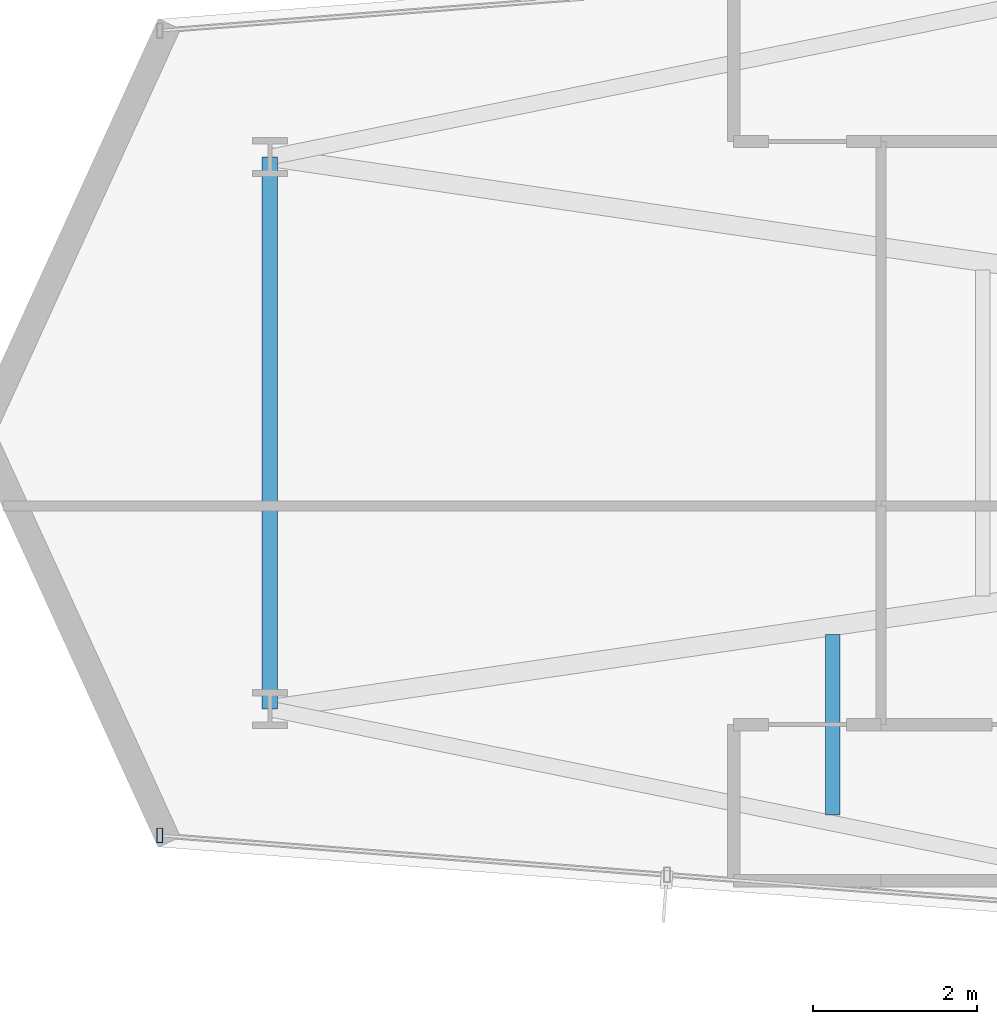
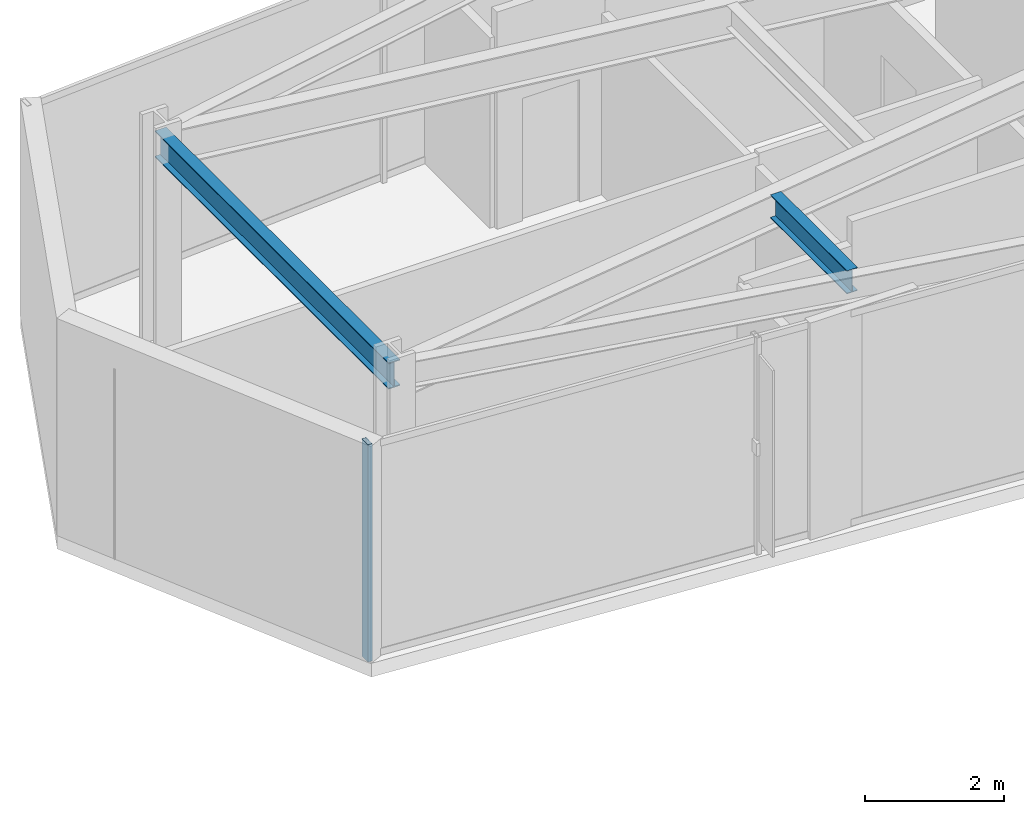
# One storey, part 6 of 30: 2 beams, 1 member, 1 element without a shape of its own.
"""IFC4 building model written with IfcOpenShell, lengths in metres."""

from ifc_helpers import new_model, si_unit, direction, frame, origin, origin_2d, place, context, subcontext, project, spatial, hollow_rectangle, i_section, extrude, material, layer, layer_set, material_profile, profile_set, type_object, element, aggregate, save


model = new_model("IFC4")

# Units and contexts
model_context = context("Model", 3, precision=1e-05, world=origin(), true_north=direction((0.0, 1.0)))
body_context = subcontext(model_context, "Body", "Model", "MODEL_VIEW")
ifc_project = project(units=[si_unit("LENGTHUNIT", "METRE"), si_unit("AREAUNIT", "SQUARE_METRE"), si_unit("VOLUMEUNIT", "CUBIC_METRE"), si_unit("PLANEANGLEUNIT", "RADIAN"), si_unit("MASSUNIT", "GRAM", prefix="KILO")], contexts=[model_context])

# Site, building, storey
site_placement = place(None, origin())
site = spatial("IfcSite", under=ifc_project, at=site_placement, CompositionType="ELEMENT")
building_placement = place(site_placement, origin())
building = spatial("IfcBuilding", under=site, at=building_placement, Name="Veymaron Broadcast Tower", CompositionType="ELEMENT")
storey_placement = place(building_placement, frame((0.0, 0.0, 54.0)))
storey = spatial("IfcBuildingStorey", under=building, at=storey_placement, Name="L11", CompositionType="ELEMENT", Elevation=54.0)

# Beams
ifc_material_1 = material(Name="Structural steel ASTM A992 Gr 50", Category="steel")
ifc_material_profile_1 = material_profile(ifc_material_1, i_section(OverallWidth=0.177978515625, OverallDepth=0.406982421875, WebThickness=0.0078125, FlangeThickness=0.0126953125, at=origin_2d()), Name="W410X60")
ifc_profile_set_1 = profile_set([ifc_material_profile_1], Name="Structural steel ASTM A992 Gr 50")
beam_type_1 = type_object("IfcBeamType", Name="BM-JS1", PredefinedType="JOIST", material=ifc_profile_set_1)
beam_1_placement = place(storey_placement, frame((15.206298828125, 19.347900390625, 3.6064453125), z_axis=(0.0, 1.0, 0.0), x_axis=(-1.0, 0.0, 0.0)))
element("IfcBeam", 1, at=beam_1_placement, inside=storey, type_object=beam_type_1, Name="L11 Arm-A secondary joist 1S", PredefinedType="JOIST", context=body_context, shape_type="SweptSolid", body=[
    extrude(i_section(OverallWidth=0.177978515625, OverallDepth=0.406982421875, WebThickness=0.0078125, FlangeThickness=0.0126953125, at=origin_2d()), origin(), (0.0, 0.0, 1.0), 2.2001953125),
])
ifc_material_profile_2 = material_profile(ifc_material_1, i_section(OverallWidth=0.19091796875, OverallDepth=0.4599609375, WebThickness=0.010009765625, FlangeThickness=0.01611328125, at=origin_2d()), Name="W460X82")
ifc_profile_set_2 = profile_set([ifc_material_profile_2], Name="Structural steel ASTM A992 Gr 50")
beam_type_2 = type_object("IfcBeamType", Name="BM-SP1", PredefinedType="SPANDREL", material=ifc_profile_set_2)
beam_2_placement = place(storey_placement, frame((8.35205078125, 20.639892578125, 3.580078125), z_axis=(0.0, 1.0, 0.0), x_axis=(-1.0, 0.0, 0.0)))
element("IfcBeam", 2, at=beam_2_placement, inside=storey, type_object=beam_type_2, Name="L11 primary structural floor girder", PredefinedType="SPANDREL", context=body_context, shape_type="SweptSolid", body=[
    extrude(i_section(OverallWidth=0.19091796875, OverallDepth=0.4599609375, WebThickness=0.010009765625, FlangeThickness=0.01611328125, at=origin_2d()), origin(), (0.0, 0.0, 1.0), 6.72021484375),
])

# Curtain wall, member
ifc_material_2 = material(Name="Anodised aluminium AA 6063-T6 and laminated low-E dark glass", Category="aluminium")
ifc_layer = layer(ifc_material_2, 0.179931640625)
ifc_layer_set = layer_set([ifc_layer], Name="Anodised aluminium AA 6063-T6 and laminated low-E dark glass")
curtain_wall_type = type_object("IfcCurtainWallType", Name="CW-SYS-02", PredefinedType="NOTDEFINED", material=ifc_layer_set)
curtain_wall_placement = place(storey_placement, origin())
curtain_wall = element("IfcCurtainWall", 3, at=curtain_wall_placement, inside=storey, type_object=curtain_wall_type, Name="L11 dark-glass curtain wall CW-L11-E14-1", PredefinedType="NOTDEFINED")
ifc_material_3 = material(Name="Anodised aluminium AA 6063-T6", Category="aluminium")
ifc_material_profile_3 = material_profile(ifc_material_3, hollow_rectangle(XDim=0.074951171875, YDim=0.179931640625, WallThickness=0.0048828125, at=origin_2d()), Name="AL180X75X5")
ifc_profile_set_3 = profile_set([ifc_material_profile_3], Name="Anodised aluminium AA 6063-T6")
member_type = type_object("IfcMemberType", Name="CW-MUL-02", PredefinedType="MULLION", material=ifc_profile_set_3)
member_placement = place(storey_placement, frame((7.0107421875, 19.099853515625, 0.0), z_axis=(0.0, 0.0, 1.0), x_axis=(1.0, 0.0, 0.0)))
member = element("IfcMember", 4, at=member_placement, type_object=member_type, Name="CW-L11-E14-1 mullion 0", PredefinedType="MULLION", context=body_context, shape_type="SweptSolid", body=[
    extrude(hollow_rectangle(XDim=0.074951171875, YDim=0.179931640625, WallThickness=0.0048828125, at=origin_2d()), origin(), (0.0, 0.0, 1.0), 3.81005859375),
])
aggregate(curtain_wall, [member])

save(model, "model.ifc")
